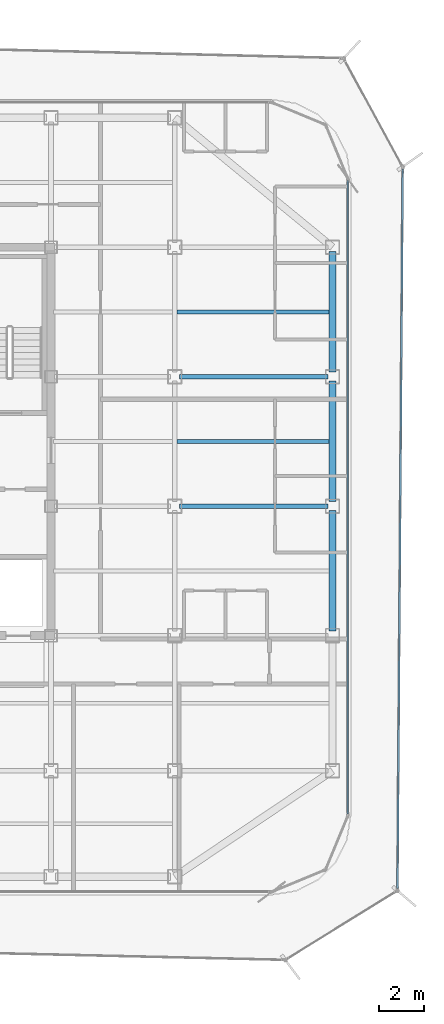
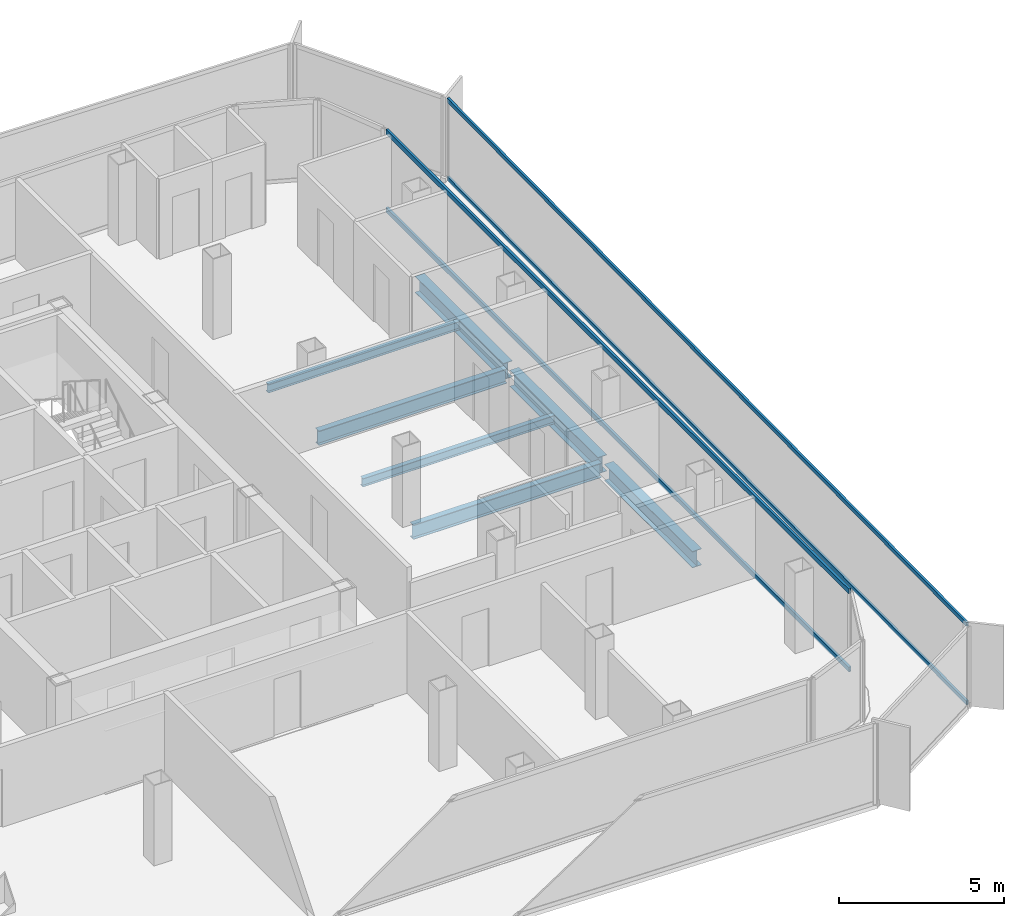
# One storey, part 5 of 15: 7 beams, 4 members, 2 elements without a shape of their own.
"""IFC4 building model written with IfcOpenShell, lengths in metres."""

import ifcopenshell
import ifcopenshell.guid

model = None  # the IFC model being written
_history = None  # IfcOwnerHistory: only IFC2X3 demands one
_inside = {}  # id of a spatial element -> (the spatial element, [elements in it])
_under = {}  # id of a project, library or spatial element -> (it, [spatial elements below it])
_declared = {}  # id of a project -> (the project, [libraries it declares])
_typed = {}  # id of a type object -> (the type object, [elements of that type])
_made_of = {}  # id of a material, layer set ... -> (it, [elements and type objects made of it])


def new_model(schema):
    """Start an empty IFC model of exactly this schema.

    Asked for "IFC4X3", IfcOpenShell would pick the latest addendum, in which some entities
    have other attributes; the version numbers below select the first issue.
    IFC2X3 requires an IfcOwnerHistory on every rooted entity: one is made here for all.
    """
    global model, _history
    if schema == "IFC4X3":
        model = ifcopenshell.file(schema_version=(4, 3, 0, 0))
    else:
        model = ifcopenshell.file(schema=schema)
    _inside.clear()
    _under.clear()
    _declared.clear()
    _typed.clear()
    _made_of.clear()
    _history = None
    if model.schema == "IFC2X3":
        org = make("IfcOrganization", Name="unknown")
        user = make(
            "IfcPersonAndOrganization",
            ThePerson=make("IfcPerson", FamilyName="unknown"),
            TheOrganization=org,
        )
        app = make(
            "IfcApplication",
            ApplicationDeveloper=org,
            Version="unknown",
            ApplicationFullName="unknown",
            ApplicationIdentifier="unknown",
        )
        _history = make(
            "IfcOwnerHistory",
            OwningUser=user,
            OwningApplication=app,
            ChangeAction="ADDED",
            CreationDate=0,
        )
    return model


def make(cls, **values):
    """One entity of the class cls with the attributes given. An attribute that is None is left unset."""
    return model.create_entity(
        cls, **{name: value for name, value in values.items() if value is not None}
    )


def rooted(cls, **values):
    """An entity with a GlobalId (a new one), such as an element, a storey or a relation."""
    return make(cls, GlobalId=ifcopenshell.guid.new(), OwnerHistory=_history, **values)


def si_unit(unit_type, name, prefix=None):
    """IfcSIUnit, for example si_unit("LENGTHUNIT", "METRE", prefix="MILLI")."""
    return make("IfcSIUnit", UnitType=unit_type, Prefix=prefix, Name=name)


def assignment(units):
    """IfcUnitAssignment: the units of a project."""
    return None if units is None else make("IfcUnitAssignment", Units=units)


def point(xyz):
    """IfcCartesianPoint."""
    return None if xyz is None else make("IfcCartesianPoint", Coordinates=xyz)


def direction(xyz):
    """IfcDirection."""
    return None if xyz is None else make("IfcDirection", DirectionRatios=xyz)


def frame(location, z_axis=None, x_axis=None):
    """IfcAxis2Placement3D, a coordinate frame: its origin and axes. An axis left out is left unset."""
    return make(
        "IfcAxis2Placement3D",
        Location=point(location),
        Axis=direction(z_axis),
        RefDirection=direction(x_axis),
    )


def frame_2d(location, x_axis=None):
    """IfcAxis2Placement2D, a coordinate frame in the plane: its origin and x axis."""
    return make(
        "IfcAxis2Placement2D", Location=point(location), RefDirection=direction(x_axis)
    )


def origin():
    """The frame at (0, 0, 0) with its axes left unset."""
    return frame((0.0, 0.0, 0.0))


def origin_2d():
    """The frame at (0, 0) in the plane with its x axis left unset."""
    return frame_2d((0.0, 0.0))


def place(relative_to, where):
    """IfcLocalPlacement: puts the frame where relative to a parent placement (None: the world)."""
    return make(
        "IfcLocalPlacement", PlacementRelTo=relative_to, RelativePlacement=where
    )


def context(
    kind, dimensions, precision=None, world=None, true_north=None, identifier=None
):
    """IfcGeometricRepresentationContext, for example the 3D "Model" context."""
    return make(
        "IfcGeometricRepresentationContext",
        ContextIdentifier=identifier,
        ContextType=kind,
        CoordinateSpaceDimension=dimensions,
        Precision=precision,
        WorldCoordinateSystem=world,
        TrueNorth=true_north,
    )


def subcontext(parent, identifier, kind, view, scale=None):
    """IfcGeometricRepresentationSubContext, for example "Body" below "Model"."""
    return make(
        "IfcGeometricRepresentationSubContext",
        ContextIdentifier=identifier,
        ContextType=kind,
        ParentContext=parent,
        TargetScale=scale,
        TargetView=view,
    )


def project(units=None, contexts=None):
    """IfcProject with its units and contexts."""
    return rooted(
        "IfcProject",
        Name="project",
        RepresentationContexts=contexts,
        UnitsInContext=assignment(units),
    )


def spatial(cls, under=None, at=None, **own):
    """A site, building, storey or space (cls), placed at a placement, below another one or the project."""
    s = rooted(cls, ObjectPlacement=at, **own)
    if under is not None:
        _under.setdefault(under.id(), (under, []))[1].append(s)
    return s


def profile(cls, at=None, kind="AREA", **sizes):
    """A parametric profile (cls). Its sizes go by their IFC names, for example OverallWidth=200.0."""
    return make(cls, ProfileType=kind, Position=at, **sizes)


def hollow_rectangle(**sizes):
    """IfcRectangleHollowProfileDef."""
    return profile("IfcRectangleHollowProfileDef", **sizes)


def i_section(**sizes):
    """IfcIShapeProfileDef."""
    return profile("IfcIShapeProfileDef", **sizes)


def extrude(swept, where, along, depth):
    """IfcExtrudedAreaSolid: the profile swept, set in the frame where, extruded along a direction by depth."""
    return make(
        "IfcExtrudedAreaSolid",
        SweptArea=swept,
        Position=where,
        ExtrudedDirection=direction(along),
        Depth=depth,
    )


def shape(context_of_items, identifier, shape_type, items):
    """IfcShapeRepresentation: the items that make up one representation, for example the "Body"."""
    return make(
        "IfcShapeRepresentation",
        ContextOfItems=context_of_items,
        RepresentationIdentifier=identifier,
        RepresentationType=shape_type,
        Items=items,
    )


def source(mapping_origin, context_of_items, identifier, shape_type, items):
    """IfcRepresentationMap: a shape defined once, which mapped items show again and again."""
    return make(
        "IfcRepresentationMap",
        MappingOrigin=mapping_origin,
        MappedRepresentation=shape(context_of_items, identifier, shape_type, items),
    )


def transform(
    local_origin,
    x_axis=None,
    y_axis=None,
    z_axis=None,
    scale=None,
    scale2=None,
    scale3=None,
    uniform=True,
):
    """IfcCartesianTransformationOperator3D, or its non-uniform kind. x_axis, y_axis, z_axis: its Axis1, 2, 3."""
    if uniform:
        return make(
            "IfcCartesianTransformationOperator3D",
            Axis1=direction(x_axis),
            Axis2=direction(y_axis),
            LocalOrigin=point(local_origin),
            Scale=scale,
            Axis3=direction(z_axis),
        )
    return make(
        "IfcCartesianTransformationOperator3DnonUniform",
        Axis1=direction(x_axis),
        Axis2=direction(y_axis),
        LocalOrigin=point(local_origin),
        Scale=scale,
        Axis3=direction(z_axis),
        Scale2=scale2,
        Scale3=scale3,
    )


def mapped(mapping_source, mapping_target):
    """IfcMappedItem: shows the shape of a source again, moved by a transform."""
    return make(
        "IfcMappedItem", MappingSource=mapping_source, MappingTarget=mapping_target
    )


def material(Name=None, Category=None):
    """IfcMaterial."""
    return make("IfcMaterial", Name=Name, Category=Category)


def layer(
    of_material, thickness, ventilated=None, Name=None, Category=None, Priority=None
):
    """IfcMaterialLayer: one layer of a wall or slab, of a material (None: an air gap)."""
    return make(
        "IfcMaterialLayer",
        Material=of_material,
        LayerThickness=thickness,
        IsVentilated=ventilated,
        Name=Name,
        Category=Category,
        Priority=Priority,
    )


def layer_set(layers, Name=None):
    """IfcMaterialLayerSet."""
    return make("IfcMaterialLayerSet", MaterialLayers=layers, LayerSetName=Name)


def material_profile(
    of_material, cross_section, Name=None, Category=None, Priority=None
):
    """IfcMaterialProfile: a cross section and its material."""
    return make(
        "IfcMaterialProfile",
        Name=Name,
        Material=of_material,
        Profile=cross_section,
        Priority=Priority,
        Category=Category,
    )


def profile_set(profiles, Name=None, composite=None):
    """IfcMaterialProfileSet."""
    return make(
        "IfcMaterialProfileSet",
        Name=Name,
        MaterialProfiles=profiles,
        CompositeProfile=composite,
    )


def made_of(thing, what):
    """Note that an element or type object is made of a material, layer set ...; save() writes the relation."""
    if what is not None:
        _made_of.setdefault(what.id(), (what, []))[1].append(thing)
    return thing


def type_object(cls, material=None, **own):
    """A type object (cls), such as IfcWallType, which elements share."""
    return made_of(rooted(cls, **own), material)


def element(
    cls,
    number,
    at=None,
    inside=None,
    cuts=None,
    type_object=None,
    material=None,
    context=None,
    identifier="Body",
    shape_type=None,
    held_by="IfcProductDefinitionShape",
    body=None,
    shapes=None,
    **own,
):
    """One element of the class cls, such as IfcWall. Its Tag is "e" and its number.

    at: its placement. inside: the storey or other place that contains it. cuts: it is an
    opening in that element (IfcRelVoidsElement). A single representation is given by context,
    identifier, shape_type and body (its items); several are given by shapes. held_by: the class
    of the entity that holds the representations. save() writes the other relations.
    """
    e = rooted(cls, Tag="e%d" % number, ObjectPlacement=at, **own)
    if body is not None:
        shapes = [shape(context, identifier, shape_type, body)]
    if shapes is not None:
        e.Representation = make(held_by, Representations=shapes)
    if inside is not None:
        _inside.setdefault(inside.id(), (inside, []))[1].append(e)
    if cuts is not None:
        rooted(
            "IfcRelVoidsElement", RelatingBuildingElement=cuts, RelatedOpeningElement=e
        )
    if type_object is not None:
        _typed.setdefault(type_object.id(), (type_object, []))[1].append(e)
    return made_of(e, material)


def aggregate(whole, parts):
    """IfcRelAggregates: a whole, such as a stair, and the parts it consists of."""
    return rooted("IfcRelAggregates", RelatingObject=whole, RelatedObjects=parts)


def save(model, path):
    """Write the relations noted so far, then the file.

    IfcRelAggregates (storeys below a building ...), IfcRelContainedInSpatialStructure (elements
    in a storey), IfcRelDefinesByType, IfcRelAssociatesMaterial and IfcRelDeclares: one each for
    every whole, place, type object, material and project.
    """
    for whole, parts in _under.values():
        aggregate(whole, parts)
    for where, things in _inside.values():
        rooted(
            "IfcRelContainedInSpatialStructure",
            RelatedElements=things,
            RelatingStructure=where,
        )
    for kind, things in _typed.values():
        rooted("IfcRelDefinesByType", RelatedObjects=things, RelatingType=kind)
    for what, things in _made_of.values():
        rooted("IfcRelAssociatesMaterial", RelatedObjects=things, RelatingMaterial=what)
    for by, libraries in _declared.values():
        rooted("IfcRelDeclares", RelatingContext=by, RelatedDefinitions=libraries)
    model.write(path)


model = new_model("IFC4")

# Units and contexts
model_context = context("Model", 3, precision=1e-05, world=origin(), true_north=direction((0.0, 1.0)))
body_context = subcontext(model_context, "Body", "Model", "MODEL_VIEW")
ifc_project = project(units=[si_unit("LENGTHUNIT", "METRE"), si_unit("AREAUNIT", "SQUARE_METRE"), si_unit("VOLUMEUNIT", "CUBIC_METRE"), si_unit("PLANEANGLEUNIT", "RADIAN"), si_unit("MASSUNIT", "GRAM", prefix="KILO")], contexts=[model_context])

# Site, building, storey
site_placement = place(None, origin())
site = spatial("IfcSite", under=ifc_project, at=site_placement, CompositionType="ELEMENT")
building_placement = place(site_placement, origin())
building = spatial("IfcBuilding", under=site, at=building_placement, Name="Kolveth Station Tower", CompositionType="ELEMENT")
storey_placement = place(building_placement, frame((0.0, 0.0, 264.89990234375)))
storey = spatial("IfcBuildingStorey", under=building, at=storey_placement, Name="L76", CompositionType="ELEMENT", Elevation=264.89990234375)

# Beams
ifc_material_1 = material(Name="Steel S355", Category="steel")
ifc_material_profile_1 = material_profile(ifc_material_1, i_section(OverallWidth=0.323974609375, OverallDepth=0.611083984375, WebThickness=0.0126953125, FlangeThickness=0.01904296875, at=origin_2d()), Name="W610x155")
ifc_profile_set_1 = profile_set([ifc_material_profile_1], Name="Steel S355")
beam_type_1 = type_object("IfcBeamType", Name="Beam_SP2", PredefinedType="SPANDREL", material=ifc_profile_set_1)
shared_shape_1 = source(origin(), body_context, "Body", "SweptSolid", [
    extrude(i_section(OverallWidth=0.323974609375, OverallDepth=0.611083984375, WebThickness=0.0126953125, FlangeThickness=0.01904296875, at=origin_2d()), origin(), (0.0, 0.0, 1.0), 5.35009765625),
])
for number, where, z_axis, x_axis, name in (
    (1, (41.0, 11.699951171875, -0.525390625), (0.0, 1.0, 0.0), (-1.0, 0.0, 0.0), "L76 Perimeter Spandrel BM-L76-PE-2"),
    (2, (41.0, 17.449951171875, -0.525390625), (0.0, 1.0, 0.0), (-1.0, 0.0, 0.0), "L76 Perimeter Spandrel BM-L76-PE-3"),
    (3, (41.0, 23.199951171875, -0.525390625), (0.0, 1.0, 0.0), (-1.0, 0.0, 0.0), "L76 Perimeter Spandrel BM-L76-PE-4"),
):
    element("IfcBeam", number, at=place(storey_placement, frame(where, z_axis=z_axis, x_axis=x_axis)), inside=storey, type_object=beam_type_1, Name=name, PredefinedType="SPANDREL", context=body_context, shape_type="MappedRepresentation", body=[
        mapped(shared_shape_1, transform((0.0, 0.0, 0.0), x_axis=(1.0, 0.0, 0.0), y_axis=(0.0, 1.0, 0.0), z_axis=(0.0, 0.0, 1.0), scale=1.0)),
    ])
ifc_material_profile_2 = material_profile(ifc_material_1, i_section(OverallWidth=0.2099609375, OverallDepth=0.537109375, WebThickness=0.010986328125, FlangeThickness=0.017333984375, at=origin_2d()), Name="W530x101")
ifc_profile_set_2 = profile_set([ifc_material_profile_2], Name="Steel S355")
beam_type_2 = type_object("IfcBeamType", Name="Beam_B6", PredefinedType="BEAM", material=ifc_profile_set_2)
shared_shape_2 = source(origin(), body_context, "Body", "SweptSolid", [
    extrude(i_section(OverallWidth=0.2099609375, OverallDepth=0.537109375, WebThickness=0.010986328125, FlangeThickness=0.017333984375, at=origin_2d()), origin(), (0.0, 0.0, 1.0), 6.60009765625),
])
for number, where, z_axis, x_axis, name in (
    (4, (34.199951171875, 17.25, -0.48828125), (1.0, 0.0, 0.0), (0.0, 1.0, 0.0), "L76 Primary Girder BM-L76-GY172-5"),
    (5, (34.199951171875, 23.0, -0.48828125), (1.0, 0.0, 0.0), (0.0, 1.0, 0.0), "L76 Primary Girder BM-L76-GY230-5"),
):
    element("IfcBeam", number, at=place(storey_placement, frame(where, z_axis=z_axis, x_axis=x_axis)), inside=storey, type_object=beam_type_2, Name=name, PredefinedType="BEAM", context=body_context, shape_type="MappedRepresentation", body=[
        mapped(shared_shape_2, transform((0.0, 0.0, 0.0), x_axis=(1.0, 0.0, 0.0), y_axis=(0.0, 1.0, 0.0), z_axis=(0.0, 0.0, 1.0), scale=1.0)),
    ])
ifc_material_profile_3 = material_profile(ifc_material_1, i_section(OverallWidth=0.1650390625, OverallDepth=0.31005859375, WebThickness=0.005859375, FlangeThickness=0.009765625, at=origin_2d()), Name="W310x39")
ifc_profile_set_3 = profile_set([ifc_material_profile_3], Name="Steel S355")
beam_type_3 = type_object("IfcBeamType", Name="Beam_J3", PredefinedType="JOIST", material=ifc_profile_set_3)
shared_shape_3 = source(origin(), body_context, "Body", "SweptSolid", [
    extrude(i_section(OverallWidth=0.1650390625, OverallDepth=0.31005859375, WebThickness=0.005859375, FlangeThickness=0.009765625, at=origin_2d()), origin(), (0.0, 0.0, 1.0), 6.737060546875),
])
for number, where, z_axis, x_axis, name in (
    (6, (34.10302734375, 20.125, -0.375), (1.0, 0.0, 0.0), (0.0, 1.0, 0.0), "L76 Secondary Joist JST-L76-5-4"),
    (7, (34.10302734375, 25.875, -0.375), (1.0, 0.0, 0.0), (0.0, 1.0, 0.0), "L76 Secondary Joist JST-L76-5-5"),
):
    element("IfcBeam", number, at=place(storey_placement, frame(where, z_axis=z_axis, x_axis=x_axis)), inside=storey, type_object=beam_type_3, Name=name, PredefinedType="JOIST", context=body_context, shape_type="MappedRepresentation", body=[
        mapped(shared_shape_3, transform((0.0, 0.0, 0.0), x_axis=(1.0, 0.0, 0.0), y_axis=(0.0, 1.0, 0.0), z_axis=(0.0, 0.0, 1.0), scale=1.0)),
    ])

# Curtain wall, members
ifc_material_2 = material(Name="Aluminium 6063-T6 and triple low-E dark glass", Category="aluminium")
ifc_layer_1 = layer(ifc_material_2, 0.199951171875)
ifc_layer_set_1 = layer_set([ifc_layer_1], Name="Aluminium 6063-T6 and triple low-E dark glass")
curtain_wall_type_1 = type_object("IfcCurtainWallType", Name="CurtainWall_CW-Z3", PredefinedType="NOTDEFINED", material=ifc_layer_set_1)
curtain_wall_1_placement = place(storey_placement, origin())
curtain_wall_1 = element("IfcCurtainWall", 8, at=curtain_wall_1_placement, inside=storey, type_object=curtain_wall_type_1, Name="L76 Inner Thermal Curtain Wall 3", PredefinedType="NOTDEFINED")
ifc_material_3 = material(Name="Black anodized aluminium 6063-T6", Category="aluminium")
ifc_material_profile_4 = material_profile(ifc_material_3, hollow_rectangle(XDim=0.0849609375, YDim=0.179931640625, WallThickness=0.0048828125, at=origin_2d()), Name="ALU-85x180x5")
ifc_profile_set_4 = profile_set([ifc_material_profile_4], Name="Black anodized aluminium 6063-T6")
member_type_1 = type_object("IfcMemberType", Name="Transom_TR3", PredefinedType="USERDEFINED", material=ifc_profile_set_4)
shared_shape_4 = source(origin(), body_context, "Body", "SweptSolid", [
    extrude(hollow_rectangle(XDim=0.0849609375, YDim=0.179931640625, WallThickness=0.0048828125, at=origin_2d()), origin(), (0.0, 0.0, 1.0), 28.130126953125),
])
member_1_placement = place(storey_placement, frame((41.679931640625, 3.5849609375, 0.04248046875), z_axis=(0.0, 1.0, 0.0), x_axis=(-1.0, 0.0, 0.0)))
member_1 = element("IfcMember", 9, at=member_1_placement, type_object=member_type_1, Name="CW-Z3 transom 1.1", ObjectType="TRANSOM", PredefinedType="USERDEFINED", context=body_context, shape_type="MappedRepresentation", body=[
    mapped(shared_shape_4, transform((0.0, 0.0, 0.0), x_axis=(1.0, 0.0, 0.0), y_axis=(0.0, 1.0, 0.0), z_axis=(0.0, 0.0, 1.0), scale=1.0)),
])
member_2_placement = place(storey_placement, frame((41.679931640625, 3.5849609375, 2.9375), z_axis=(0.0, 1.0, 0.0), x_axis=(-1.0, 0.0, 0.0)))
member_2 = element("IfcMember", 10, at=member_2_placement, type_object=member_type_1, Name="CW-Z3 transom 1.2", ObjectType="TRANSOM", PredefinedType="USERDEFINED", context=body_context, shape_type="MappedRepresentation", body=[
    mapped(shared_shape_4, transform((0.0, 0.0, 0.0), x_axis=(1.0, 0.0, 0.0), y_axis=(0.0, 1.0, 0.0), z_axis=(0.0, 0.0, 1.0), scale=1.0)),
])
aggregate(curtain_wall_1, [member_1, member_2])

ifc_material_4 = material(Name="Black anodized aluminium 6063-T6 and dark solar glass", Category="aluminium")
ifc_layer_2 = layer(ifc_material_4, 0.159912109375)
ifc_layer_set_2 = layer_set([ifc_layer_2], Name="Black anodized aluminium 6063-T6 and dark solar glass")
curtain_wall_type_2 = type_object("IfcCurtainWallType", Name="OUTER SKIN CW-OS", PredefinedType="NOTDEFINED", material=ifc_layer_set_2)
curtain_wall_2_placement = place(storey_placement, origin())
curtain_wall_2 = element("IfcCurtainWall", 11, at=curtain_wall_2_placement, inside=storey, type_object=curtain_wall_type_2, Name="L76 Outer Ventilated Skin Curtain Wall 2", PredefinedType="NOTDEFINED")
ifc_material_profile_5 = material_profile(ifc_material_3, hollow_rectangle(XDim=0.080078125, YDim=0.14990234375, WallThickness=0.0048828125, at=origin_2d()), Name="ALU-80x150x5")
ifc_profile_set_5 = profile_set([ifc_material_profile_5], Name="Black anodized aluminium 6063-T6")
member_type_2 = type_object("IfcMemberType", Name="Transom_TR-OS", PredefinedType="USERDEFINED", material=ifc_profile_set_5)
shared_shape_5 = source(origin(), body_context, "Body", "SweptSolid", [
    extrude(hollow_rectangle(XDim=0.080078125, YDim=0.14990234375, WallThickness=0.0048828125, at=origin_2d()), origin(), (0.0, 0.0, 1.0), 31.9599609375),
])
member_3_placement = place(storey_placement, frame((43.887939453125, 0.268798828125, 0.0400390625), z_axis=(0.007241703083, 0.999973778524, 0.0), x_axis=(-0.999973778524, 0.007241703083, 0.0)))
member_3 = element("IfcMember", 12, at=member_3_placement, type_object=member_type_2, Name="CW-OS transom 1.1", ObjectType="TRANSOM", PredefinedType="USERDEFINED", context=body_context, shape_type="MappedRepresentation", body=[
    mapped(shared_shape_5, transform((0.0, 0.0, 0.0), x_axis=(1.0, 0.0, 0.0), y_axis=(0.0, 1.0, 0.0), z_axis=(0.0, 0.0, 1.0), scale=1.0)),
])
member_4_placement = place(storey_placement, frame((43.887939453125, 0.268798828125, 2.9501953125), z_axis=(0.007241703083, 0.999973778524, 0.0), x_axis=(-0.999973778524, 0.007241703083, 0.0)))
member_4 = element("IfcMember", 13, at=member_4_placement, type_object=member_type_2, Name="CW-OS transom 1.2", ObjectType="TRANSOM", PredefinedType="USERDEFINED", context=body_context, shape_type="MappedRepresentation", body=[
    mapped(shared_shape_5, transform((0.0, 0.0, 0.0), x_axis=(1.0, 0.0, 0.0), y_axis=(0.0, 1.0, 0.0), z_axis=(0.0, 0.0, 1.0), scale=1.0)),
])
aggregate(curtain_wall_2, [member_3, member_4])

save(model, "model.ifc")
